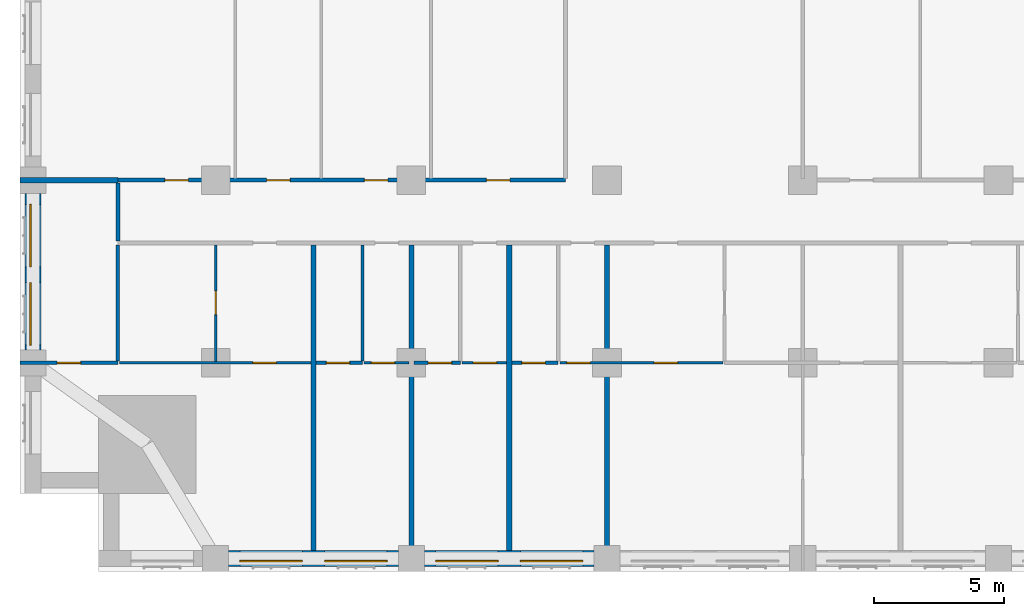
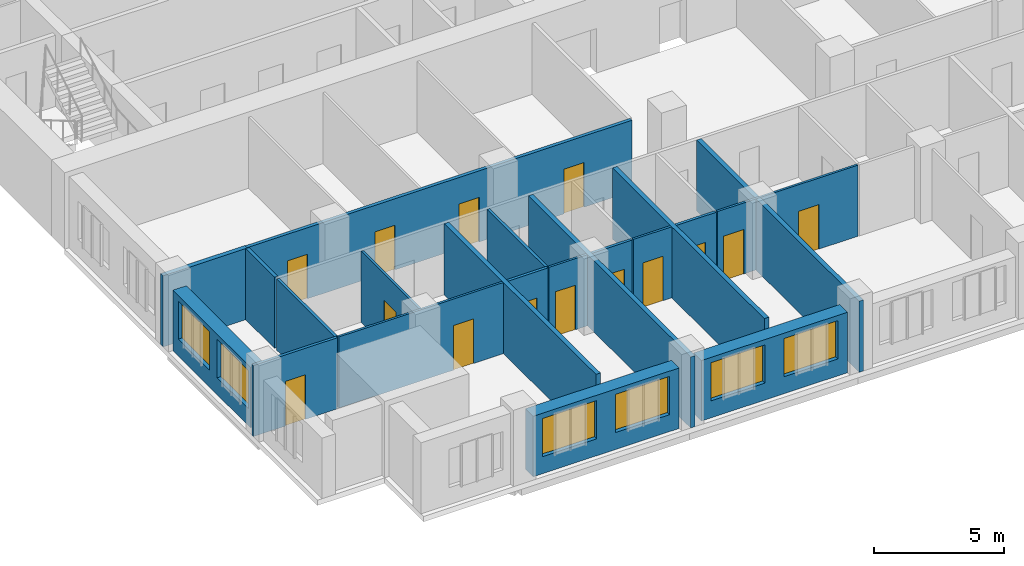
# One storey, part 4 of 15: 21 walls, 14 doors, 6 windows, 20 openings.
"""IFC4 building model written with IfcOpenShell, lengths in metres."""

import ifcopenshell
import ifcopenshell.guid

model = None  # the IFC model being written
_history = None  # IfcOwnerHistory: only IFC2X3 demands one
_inside = {}  # id of a spatial element -> (the spatial element, [elements in it])
_under = {}  # id of a project, library or spatial element -> (it, [spatial elements below it])
_declared = {}  # id of a project -> (the project, [libraries it declares])
_typed = {}  # id of a type object -> (the type object, [elements of that type])
_made_of = {}  # id of a material, layer set ... -> (it, [elements and type objects made of it])


def new_model(schema):
    """Start an empty IFC model of exactly this schema.

    Asked for "IFC4X3", IfcOpenShell would pick the latest addendum, in which some entities
    have other attributes; the version numbers below select the first issue.
    IFC2X3 requires an IfcOwnerHistory on every rooted entity: one is made here for all.
    """
    global model, _history
    if schema == "IFC4X3":
        model = ifcopenshell.file(schema_version=(4, 3, 0, 0))
    else:
        model = ifcopenshell.file(schema=schema)
    _inside.clear()
    _under.clear()
    _declared.clear()
    _typed.clear()
    _made_of.clear()
    _history = None
    if model.schema == "IFC2X3":
        org = make("IfcOrganization", Name="unknown")
        user = make(
            "IfcPersonAndOrganization",
            ThePerson=make("IfcPerson", FamilyName="unknown"),
            TheOrganization=org,
        )
        app = make(
            "IfcApplication",
            ApplicationDeveloper=org,
            Version="unknown",
            ApplicationFullName="unknown",
            ApplicationIdentifier="unknown",
        )
        _history = make(
            "IfcOwnerHistory",
            OwningUser=user,
            OwningApplication=app,
            ChangeAction="ADDED",
            CreationDate=0,
        )
    return model


def make(cls, **values):
    """One entity of the class cls with the attributes given. An attribute that is None is left unset."""
    return model.create_entity(
        cls, **{name: value for name, value in values.items() if value is not None}
    )


def rooted(cls, **values):
    """An entity with a GlobalId (a new one), such as an element, a storey or a relation."""
    return make(cls, GlobalId=ifcopenshell.guid.new(), OwnerHistory=_history, **values)


def si_unit(unit_type, name, prefix=None):
    """IfcSIUnit, for example si_unit("LENGTHUNIT", "METRE", prefix="MILLI")."""
    return make("IfcSIUnit", UnitType=unit_type, Prefix=prefix, Name=name)


def assignment(units):
    """IfcUnitAssignment: the units of a project."""
    return None if units is None else make("IfcUnitAssignment", Units=units)


def point(xyz):
    """IfcCartesianPoint."""
    return None if xyz is None else make("IfcCartesianPoint", Coordinates=xyz)


def direction(xyz):
    """IfcDirection."""
    return None if xyz is None else make("IfcDirection", DirectionRatios=xyz)


def frame(location, z_axis=None, x_axis=None):
    """IfcAxis2Placement3D, a coordinate frame: its origin and axes. An axis left out is left unset."""
    return make(
        "IfcAxis2Placement3D",
        Location=point(location),
        Axis=direction(z_axis),
        RefDirection=direction(x_axis),
    )


def frame_2d(location, x_axis=None):
    """IfcAxis2Placement2D, a coordinate frame in the plane: its origin and x axis."""
    return make(
        "IfcAxis2Placement2D", Location=point(location), RefDirection=direction(x_axis)
    )


def origin():
    """The frame at (0, 0, 0) with its axes left unset."""
    return frame((0.0, 0.0, 0.0))


def place(relative_to, where):
    """IfcLocalPlacement: puts the frame where relative to a parent placement (None: the world)."""
    return make(
        "IfcLocalPlacement", PlacementRelTo=relative_to, RelativePlacement=where
    )


def context(
    kind, dimensions, precision=None, world=None, true_north=None, identifier=None
):
    """IfcGeometricRepresentationContext, for example the 3D "Model" context."""
    return make(
        "IfcGeometricRepresentationContext",
        ContextIdentifier=identifier,
        ContextType=kind,
        CoordinateSpaceDimension=dimensions,
        Precision=precision,
        WorldCoordinateSystem=world,
        TrueNorth=true_north,
    )


def subcontext(parent, identifier, kind, view, scale=None):
    """IfcGeometricRepresentationSubContext, for example "Body" below "Model"."""
    return make(
        "IfcGeometricRepresentationSubContext",
        ContextIdentifier=identifier,
        ContextType=kind,
        ParentContext=parent,
        TargetScale=scale,
        TargetView=view,
    )


def project(units=None, contexts=None):
    """IfcProject with its units and contexts."""
    return rooted(
        "IfcProject",
        Name="project",
        RepresentationContexts=contexts,
        UnitsInContext=assignment(units),
    )


def spatial(cls, under=None, at=None, **own):
    """A site, building, storey or space (cls), placed at a placement, below another one or the project."""
    s = rooted(cls, ObjectPlacement=at, **own)
    if under is not None:
        _under.setdefault(under.id(), (under, []))[1].append(s)
    return s


def profile(cls, at=None, kind="AREA", **sizes):
    """A parametric profile (cls). Its sizes go by their IFC names, for example OverallWidth=200.0."""
    return make(cls, ProfileType=kind, Position=at, **sizes)


def rectangle(**sizes):
    """IfcRectangleProfileDef."""
    return profile("IfcRectangleProfileDef", **sizes)


def extrude(swept, where, along, depth):
    """IfcExtrudedAreaSolid: the profile swept, set in the frame where, extruded along a direction by depth."""
    return make(
        "IfcExtrudedAreaSolid",
        SweptArea=swept,
        Position=where,
        ExtrudedDirection=direction(along),
        Depth=depth,
    )


def shape(context_of_items, identifier, shape_type, items):
    """IfcShapeRepresentation: the items that make up one representation, for example the "Body"."""
    return make(
        "IfcShapeRepresentation",
        ContextOfItems=context_of_items,
        RepresentationIdentifier=identifier,
        RepresentationType=shape_type,
        Items=items,
    )


def material(Name=None, Category=None):
    """IfcMaterial."""
    return make("IfcMaterial", Name=Name, Category=Category)


def layer(
    of_material, thickness, ventilated=None, Name=None, Category=None, Priority=None
):
    """IfcMaterialLayer: one layer of a wall or slab, of a material (None: an air gap)."""
    return make(
        "IfcMaterialLayer",
        Material=of_material,
        LayerThickness=thickness,
        IsVentilated=ventilated,
        Name=Name,
        Category=Category,
        Priority=Priority,
    )


def layer_set(layers, Name=None):
    """IfcMaterialLayerSet."""
    return make("IfcMaterialLayerSet", MaterialLayers=layers, LayerSetName=Name)


def made_of(thing, what):
    """Note that an element or type object is made of a material, layer set ...; save() writes the relation."""
    if what is not None:
        _made_of.setdefault(what.id(), (what, []))[1].append(thing)
    return thing


def type_object(cls, material=None, **own):
    """A type object (cls), such as IfcWallType, which elements share."""
    return made_of(rooted(cls, **own), material)


def element(
    cls,
    number,
    at=None,
    inside=None,
    cuts=None,
    type_object=None,
    material=None,
    context=None,
    identifier="Body",
    shape_type=None,
    held_by="IfcProductDefinitionShape",
    body=None,
    shapes=None,
    **own,
):
    """One element of the class cls, such as IfcWall. Its Tag is "e" and its number.

    at: its placement. inside: the storey or other place that contains it. cuts: it is an
    opening in that element (IfcRelVoidsElement). A single representation is given by context,
    identifier, shape_type and body (its items); several are given by shapes. held_by: the class
    of the entity that holds the representations. save() writes the other relations.
    """
    e = rooted(cls, Tag="e%d" % number, ObjectPlacement=at, **own)
    if body is not None:
        shapes = [shape(context, identifier, shape_type, body)]
    if shapes is not None:
        e.Representation = make(held_by, Representations=shapes)
    if inside is not None:
        _inside.setdefault(inside.id(), (inside, []))[1].append(e)
    if cuts is not None:
        rooted(
            "IfcRelVoidsElement", RelatingBuildingElement=cuts, RelatedOpeningElement=e
        )
    if type_object is not None:
        _typed.setdefault(type_object.id(), (type_object, []))[1].append(e)
    return made_of(e, material)


def fill(opening, filler):
    """IfcRelFillsElement: the door or window that sits in an opening."""
    return rooted(
        "IfcRelFillsElement",
        RelatingOpeningElement=opening,
        RelatedBuildingElement=filler,
    )


def aggregate(whole, parts):
    """IfcRelAggregates: a whole, such as a stair, and the parts it consists of."""
    return rooted("IfcRelAggregates", RelatingObject=whole, RelatedObjects=parts)


def save(model, path):
    """Write the relations noted so far, then the file.

    IfcRelAggregates (storeys below a building ...), IfcRelContainedInSpatialStructure (elements
    in a storey), IfcRelDefinesByType, IfcRelAssociatesMaterial and IfcRelDeclares: one each for
    every whole, place, type object, material and project.
    """
    for whole, parts in _under.values():
        aggregate(whole, parts)
    for where, things in _inside.values():
        rooted(
            "IfcRelContainedInSpatialStructure",
            RelatedElements=things,
            RelatingStructure=where,
        )
    for kind, things in _typed.values():
        rooted("IfcRelDefinesByType", RelatedObjects=things, RelatingType=kind)
    for what, things in _made_of.values():
        rooted("IfcRelAssociatesMaterial", RelatedObjects=things, RelatingMaterial=what)
    for by, libraries in _declared.values():
        rooted("IfcRelDeclares", RelatingContext=by, RelatedDefinitions=libraries)
    model.write(path)


model = new_model("IFC4")

# Units and contexts
model_context = context("Model", 3, precision=1e-05, world=origin(), true_north=direction((0.0, 1.0)))
body_context = subcontext(model_context, "Body", "Model", "MODEL_VIEW")
ifc_project = project(units=[si_unit("LENGTHUNIT", "METRE"), si_unit("AREAUNIT", "SQUARE_METRE"), si_unit("VOLUMEUNIT", "CUBIC_METRE"), si_unit("PLANEANGLEUNIT", "RADIAN"), si_unit("MASSUNIT", "GRAM", prefix="KILO")], contexts=[model_context])

# Site, building, storey
site_placement = place(None, origin())
site = spatial("IfcSite", under=ifc_project, at=site_placement, CompositionType="ELEMENT")
building_placement = place(site_placement, origin())
building = spatial("IfcBuilding", under=site, at=building_placement, Name="Tamorin Gate", CompositionType="ELEMENT")
storey_placement = place(building_placement, frame((0.0, 0.0, 97.10009765625)))
storey = spatial("IfcBuildingStorey", under=building, at=storey_placement, Name="L23", CompositionType="ELEMENT", Elevation=97.10009765625)

# Wall, openings, windows
ifc_material_1 = material(Name="Precast concrete C40/50", Category="concrete")
ifc_layer_1 = layer(ifc_material_1, 0.60009765625)
ifc_layer_set_1 = layer_set([ifc_layer_1], Name="Precast concrete C40/50")
wall_type_1 = type_object("IfcWallType", Name="Board-marked concrete facade panel 600", PredefinedType="SOLIDWALL", material=ifc_layer_set_1)
wall_1_placement = place(storey_placement, frame((38.0, 38.0, 0.0), z_axis=(0.0, 0.0, 1.0), x_axis=(1.0, 0.0, 0.0)))
wall_1 = element("IfcWall", 1, at=wall_1_placement, inside=storey, type_object=wall_type_1, Name="Facade panel", PredefinedType="SOLIDWALL", context=body_context, shape_type="SweptSolid", body=[
    extrude(rectangle(XDim=6.5, YDim=0.60009765625, at=frame_2d((3.25, 0.0))), origin(), (0.0, 0.0, 1.0), 2.849853515625),
])
opening_1_placement = place(wall_1_placement, frame((0.425048828125, 0.0, 0.800048828125)))
opening_1 = element("IfcOpeningElement", 2, at=opening_1_placement, cuts=wall_1, Name="Opening WN1", PredefinedType="OPENING", context=body_context, shape_type="SweptSolid", body=[
    extrude(rectangle(XDim=2.39990234375, YDim=1.800048828125, at=frame_2d((1.199951171875, 0.89990234375))), frame((0.0, 0.31005859375, 0.0), z_axis=(0.0, -1.0, 0.0), x_axis=(1.0, 0.0, 0.0)), (0.0, 0.0, 1.0), 0.6201171875),
])
opening_2_placement = place(wall_1_placement, frame((3.675048828125, 0.0, 0.800048828125)))
opening_2 = element("IfcOpeningElement", 3, at=opening_2_placement, cuts=wall_1, Name="Opening WN1", PredefinedType="OPENING", context=body_context, shape_type="SweptSolid", body=[
    extrude(rectangle(XDim=2.39990234375, YDim=1.800048828125, at=frame_2d((1.199951171875, 0.89990234375))), frame((0.0, 0.31005859375, 0.0), z_axis=(0.0, -1.0, 0.0), x_axis=(1.0, 0.0, 0.0)), (0.0, 0.0, 1.0), 0.6201171875),
])
ifc_material_2 = material(Name="Clear glass in aluminium frame", Category="aluminium")
window_type = type_object("IfcWindowType", Name="Deep-set window 2400x1800", PartitioningType="SINGLE_PANEL", PredefinedType="WINDOW", material=ifc_material_2)
window_1_placement = place(opening_1_placement, origin())
window_1 = element("IfcWindow", 4, at=window_1_placement, inside=storey, type_object=window_type, Name="Deep-set window", OverallHeight=1.800048828125, OverallWidth=2.39990234375, PartitioningType="SINGLE_PANEL", PredefinedType="WINDOW", context=body_context, shape_type="SweptSolid", body=[
    extrude(rectangle(XDim=2.39990234375, YDim=1.800048828125, at=frame_2d((1.199951171875, 0.89990234375))), frame((0.0, -0.070068359375, 0.0), z_axis=(0.0, -1.0, 0.0), x_axis=(1.0, 0.0, 0.0)), (0.0, 0.0, 1.0), 0.06005859375),
])
fill(opening_1, window_1)
window_2_placement = place(opening_2_placement, origin())
window_2 = element("IfcWindow", 5, at=window_2_placement, inside=storey, type_object=window_type, Name="Deep-set window", OverallHeight=1.800048828125, OverallWidth=2.39990234375, PartitioningType="SINGLE_PANEL", PredefinedType="WINDOW", context=body_context, shape_type="SweptSolid", body=[
    extrude(rectangle(XDim=2.39990234375, YDim=1.800048828125, at=frame_2d((1.199951171875, 0.89990234375))), frame((0.0, -0.070068359375, 0.0), z_axis=(0.0, -1.0, 0.0), x_axis=(1.0, 0.0, 0.0)), (0.0, 0.0, 1.0), 0.06005859375),
])
fill(opening_2, window_2)

wall_2_placement = place(storey_placement, frame((45.5, 38.0, 0.0), z_axis=(0.0, 0.0, 1.0), x_axis=(1.0, 0.0, 0.0)))
wall_2 = element("IfcWall", 6, at=wall_2_placement, inside=storey, type_object=wall_type_1, Name="Facade panel", PredefinedType="SOLIDWALL", context=body_context, shape_type="SweptSolid", body=[
    extrude(rectangle(XDim=6.5, YDim=0.60009765625, at=frame_2d((3.25, 0.0))), origin(), (0.0, 0.0, 1.0), 2.849853515625),
])
opening_3_placement = place(wall_2_placement, frame((0.425048828125, 0.0, 0.800048828125)))
opening_3 = element("IfcOpeningElement", 7, at=opening_3_placement, cuts=wall_2, Name="Opening WN1", PredefinedType="OPENING", context=body_context, shape_type="SweptSolid", body=[
    extrude(rectangle(XDim=2.39990234375, YDim=1.800048828125, at=frame_2d((1.199951171875, 0.89990234375))), frame((0.0, 0.31005859375, 0.0), z_axis=(0.0, -1.0, 0.0), x_axis=(1.0, 0.0, 0.0)), (0.0, 0.0, 1.0), 0.6201171875),
])
opening_4_placement = place(wall_2_placement, frame((3.675048828125, 0.0, 0.800048828125)))
opening_4 = element("IfcOpeningElement", 8, at=opening_4_placement, cuts=wall_2, Name="Opening WN1", PredefinedType="OPENING", context=body_context, shape_type="SweptSolid", body=[
    extrude(rectangle(XDim=2.39990234375, YDim=1.800048828125, at=frame_2d((1.199951171875, 0.89990234375))), frame((0.0, 0.31005859375, 0.0), z_axis=(0.0, -1.0, 0.0), x_axis=(1.0, 0.0, 0.0)), (0.0, 0.0, 1.0), 0.6201171875),
])
window_3_placement = place(opening_3_placement, origin())
window_3 = element("IfcWindow", 9, at=window_3_placement, inside=storey, type_object=window_type, Name="Deep-set window", OverallHeight=1.800048828125, OverallWidth=2.39990234375, PartitioningType="SINGLE_PANEL", PredefinedType="WINDOW", context=body_context, shape_type="SweptSolid", body=[
    extrude(rectangle(XDim=2.39990234375, YDim=1.800048828125, at=frame_2d((1.199951171875, 0.89990234375))), frame((0.0, -0.070068359375, 0.0), z_axis=(0.0, -1.0, 0.0), x_axis=(1.0, 0.0, 0.0)), (0.0, 0.0, 1.0), 0.06005859375),
])
fill(opening_3, window_3)
window_4_placement = place(opening_4_placement, origin())
window_4 = element("IfcWindow", 10, at=window_4_placement, inside=storey, type_object=window_type, Name="Deep-set window", OverallHeight=1.800048828125, OverallWidth=2.39990234375, PartitioningType="SINGLE_PANEL", PredefinedType="WINDOW", context=body_context, shape_type="SweptSolid", body=[
    extrude(rectangle(XDim=2.39990234375, YDim=1.800048828125, at=frame_2d((1.199951171875, 0.89990234375))), frame((0.0, -0.070068359375, 0.0), z_axis=(0.0, -1.0, 0.0), x_axis=(1.0, 0.0, 0.0)), (0.0, 0.0, 1.0), 0.06005859375),
])
fill(opening_4, window_4)

wall_3_placement = place(storey_placement, frame((30.5, 52.0, 0.0), z_axis=(0.0, 0.0, 1.0), x_axis=(0.0, -1.0, 0.0)))
wall_3 = element("IfcWall", 11, at=wall_3_placement, inside=storey, type_object=wall_type_1, Name="Facade panel", PredefinedType="SOLIDWALL", context=body_context, shape_type="SweptSolid", body=[
    extrude(rectangle(XDim=6.0, YDim=0.60009765625, at=frame_2d((3.0, 0.0))), origin(), (0.0, 0.0, 1.0), 2.849853515625),
])
opening_5_placement = place(wall_3_placement, frame((3.425048828125, 0.0, 0.800048828125)))
opening_5 = element("IfcOpeningElement", 12, at=opening_5_placement, cuts=wall_3, Name="Opening WN1", PredefinedType="OPENING", context=body_context, shape_type="SweptSolid", body=[
    extrude(rectangle(XDim=2.39990234375, YDim=1.800048828125, at=frame_2d((1.199951171875, 0.89990234375))), frame((0.0, 0.31005859375, 0.0), z_axis=(0.0, -1.0, 0.0), x_axis=(1.0, 0.0, 0.0)), (0.0, 0.0, 1.0), 0.6201171875),
])
opening_6_placement = place(wall_3_placement, frame((0.425048828125, 0.0, 0.800048828125)))
opening_6 = element("IfcOpeningElement", 13, at=opening_6_placement, cuts=wall_3, Name="Opening WN1", PredefinedType="OPENING", context=body_context, shape_type="SweptSolid", body=[
    extrude(rectangle(XDim=2.39990234375, YDim=1.800048828125, at=frame_2d((1.199951171875, 0.89990234375))), frame((0.0, 0.31005859375, 0.0), z_axis=(0.0, -1.0, 0.0), x_axis=(1.0, 0.0, 0.0)), (0.0, 0.0, 1.0), 0.6201171875),
])
window_5_placement = place(opening_5_placement, origin())
window_5 = element("IfcWindow", 14, at=window_5_placement, inside=storey, type_object=window_type, Name="Deep-set window", OverallHeight=1.800048828125, OverallWidth=2.39990234375, PartitioningType="SINGLE_PANEL", PredefinedType="WINDOW", context=body_context, shape_type="SweptSolid", body=[
    extrude(rectangle(XDim=2.39990234375, YDim=1.800048828125, at=frame_2d((1.199951171875, 0.89990234375))), frame((0.0, -0.070068359375, 0.0), z_axis=(0.0, -1.0, 0.0), x_axis=(1.0, 0.0, 0.0)), (0.0, 0.0, 1.0), 0.06005859375),
])
fill(opening_5, window_5)
window_6_placement = place(opening_6_placement, origin())
window_6 = element("IfcWindow", 15, at=window_6_placement, inside=storey, type_object=window_type, Name="Deep-set window", OverallHeight=1.800048828125, OverallWidth=2.39990234375, PartitioningType="SINGLE_PANEL", PredefinedType="WINDOW", context=body_context, shape_type="SweptSolid", body=[
    extrude(rectangle(XDim=2.39990234375, YDim=1.800048828125, at=frame_2d((1.199951171875, 0.89990234375))), frame((0.0, -0.070068359375, 0.0), z_axis=(0.0, -1.0, 0.0), x_axis=(1.0, 0.0, 0.0)), (0.0, 0.0, 1.0), 0.06005859375),
])
fill(opening_6, window_6)

# Wall, openings, doors
ifc_material_3 = material(Name="Gypsum board partition")
ifc_layer_2 = layer(ifc_material_3, 0.14990234375)
ifc_layer_set_2 = layer_set([ifc_layer_2], Name="Corridor wall 150")
wall_type_2 = type_object("IfcWallType", Name="Corridor wall 150", PredefinedType="PARTITIONING", material=ifc_layer_set_2)
wall_4_placement = place(storey_placement, frame((33.75, 52.5, 0.0), z_axis=(0.0, 0.0, 1.0), x_axis=(1.0, 0.0, 0.0)))
wall_4 = element("IfcWall", 16, at=wall_4_placement, inside=storey, type_object=wall_type_2, Name="Corridor wall 150", PredefinedType="PARTITIONING", context=body_context, shape_type="SweptSolid", body=[
    extrude(rectangle(XDim=17.14990234375, YDim=0.14990234375, at=frame_2d((8.574951171875, 0.0))), origin(), (0.0, 0.0, 1.0), 3.349853515625),
])
opening_7_placement = place(wall_4_placement, frame((1.800048828125, 0.0, 0.0)))
opening_7 = element("IfcOpeningElement", 17, at=opening_7_placement, cuts=wall_4, Name="Opening DH6086", PredefinedType="OPENING", context=body_context, shape_type="SweptSolid", body=[
    extrude(rectangle(XDim=0.89990234375, YDim=2.10009765625, at=frame_2d((0.449951171875, 1.050048828125))), frame((0.0, 0.0849609375, 0.0), z_axis=(0.0, -1.0, 0.0), x_axis=(1.0, 0.0, 0.0)), (0.0, 0.0, 1.0), 0.169921875),
])
opening_8_placement = place(wall_4_placement, frame((5.699951171875, 0.0, 0.0)))
opening_8 = element("IfcOpeningElement", 18, at=opening_8_placement, cuts=wall_4, Name="Opening DH6087", PredefinedType="OPENING", context=body_context, shape_type="SweptSolid", body=[
    extrude(rectangle(XDim=0.89990234375, YDim=2.10009765625, at=frame_2d((0.449951171875, 1.050048828125))), frame((0.0, 0.0849609375, 0.0), z_axis=(0.0, -1.0, 0.0), x_axis=(1.0, 0.0, 0.0)), (0.0, 0.0, 1.0), 0.169921875),
])
opening_9_placement = place(wall_4_placement, frame((9.449951171875, 0.0, 0.0)))
opening_9 = element("IfcOpeningElement", 19, at=opening_9_placement, cuts=wall_4, Name="Opening DH6088", PredefinedType="OPENING", context=body_context, shape_type="SweptSolid", body=[
    extrude(rectangle(XDim=0.89990234375, YDim=2.10009765625, at=frame_2d((0.449951171875, 1.050048828125))), frame((0.0, 0.0849609375, 0.0), z_axis=(0.0, -1.0, 0.0), x_axis=(1.0, 0.0, 0.0)), (0.0, 0.0, 1.0), 0.169921875),
])
opening_10_placement = place(wall_4_placement, frame((14.125, 0.0, 0.0)))
opening_10 = element("IfcOpeningElement", 20, at=opening_10_placement, cuts=wall_4, Name="Opening DH6089", PredefinedType="OPENING", context=body_context, shape_type="SweptSolid", body=[
    extrude(rectangle(XDim=0.89990234375, YDim=2.10009765625, at=frame_2d((0.449951171875, 1.050048828125))), frame((0.0, 0.0849609375, 0.0), z_axis=(0.0, -1.0, 0.0), x_axis=(1.0, 0.0, 0.0)), (0.0, 0.0, 1.0), 0.169921875),
])
ifc_material_4 = material(Name="Timber door leaf", Category="wood")
door_type_1 = type_object("IfcDoorType", Name="Door 900 x 2100 FD30S", OperationType="NOTDEFINED", PredefinedType="DOOR", material=ifc_material_4)
door_1_placement = place(opening_7_placement, origin())
door_1 = element("IfcDoor", 21, at=door_1_placement, inside=storey, type_object=door_type_1, Name="Door DH6086", OperationType="SINGLE_SWING_LEFT", OverallHeight=2.10009765625, OverallWidth=0.89990234375, PredefinedType="DOOR", context=body_context, shape_type="SweptSolid", body=[
    extrude(rectangle(XDim=0.89990234375, YDim=2.10009765625, at=frame_2d((0.449951171875, 1.050048828125))), frame((0.0, 0.02490234375, 0.0), z_axis=(0.0, -1.0, 0.0), x_axis=(1.0, 0.0, 0.0)), (0.0, 0.0, 1.0), 0.050048828125),
])
fill(opening_7, door_1)
door_2_placement = place(opening_8_placement, origin())
door_2 = element("IfcDoor", 22, at=door_2_placement, inside=storey, type_object=door_type_1, Name="Door DH6087", OperationType="SINGLE_SWING_LEFT", OverallHeight=2.10009765625, OverallWidth=0.89990234375, PredefinedType="DOOR", context=body_context, shape_type="SweptSolid", body=[
    extrude(rectangle(XDim=0.89990234375, YDim=2.10009765625, at=frame_2d((0.449951171875, 1.050048828125))), frame((0.0, 0.02490234375, 0.0), z_axis=(0.0, -1.0, 0.0), x_axis=(1.0, 0.0, 0.0)), (0.0, 0.0, 1.0), 0.050048828125),
])
fill(opening_8, door_2)
door_3_placement = place(opening_9_placement, origin())
door_3 = element("IfcDoor", 23, at=door_3_placement, inside=storey, type_object=door_type_1, Name="Door DH6088", OperationType="SINGLE_SWING_LEFT", OverallHeight=2.10009765625, OverallWidth=0.89990234375, PredefinedType="DOOR", context=body_context, shape_type="SweptSolid", body=[
    extrude(rectangle(XDim=0.89990234375, YDim=2.10009765625, at=frame_2d((0.449951171875, 1.050048828125))), frame((0.0, 0.02490234375, 0.0), z_axis=(0.0, -1.0, 0.0), x_axis=(1.0, 0.0, 0.0)), (0.0, 0.0, 1.0), 0.050048828125),
])
fill(opening_9, door_3)
door_4_placement = place(opening_10_placement, origin())
door_4 = element("IfcDoor", 24, at=door_4_placement, inside=storey, type_object=door_type_1, Name="Door DH6089", OperationType="SINGLE_SWING_LEFT", OverallHeight=2.10009765625, OverallWidth=0.89990234375, PredefinedType="DOOR", context=body_context, shape_type="SweptSolid", body=[
    extrude(rectangle(XDim=0.89990234375, YDim=2.10009765625, at=frame_2d((0.449951171875, 1.050048828125))), frame((0.0, 0.02490234375, 0.0), z_axis=(0.0, -1.0, 0.0), x_axis=(1.0, 0.0, 0.0)), (0.0, 0.0, 1.0), 0.050048828125),
])
fill(opening_10, door_4)

# Walls
wall_5_placement = place(storey_placement, frame((33.75, 50.175048828125, 0.0), z_axis=(0.0, 0.0, 1.0), x_axis=(0.0, 1.0, 0.0)))
element("IfcWall", 25, at=wall_5_placement, inside=storey, type_object=wall_type_2, Name="Corridor wall 150", PredefinedType="PARTITIONING", context=body_context, shape_type="SweptSolid", body=[
    extrude(rectangle(XDim=2.224853515625, YDim=0.14990234375, at=frame_2d((1.1123046875, 0.0))), origin(), (0.0, 0.0, 1.0), 3.349853515625),
])
ifc_layer_3 = layer(ifc_material_3, 0.199951171875)
ifc_layer_set_3 = layer_set([ifc_layer_3], Name="Demising wall 200")
wall_type_3 = type_object("IfcWallType", Name="Demising wall 200", PredefinedType="PARTITIONING", material=ifc_layer_set_3)
wall_6_placement = place(storey_placement, frame((30.0, 52.5, 0.0), z_axis=(0.0, 0.0, 1.0), x_axis=(1.0, 0.0, 0.0)))
element("IfcWall", 26, at=wall_6_placement, inside=storey, type_object=wall_type_3, Name="Demising wall 200", PredefinedType="PARTITIONING", context=body_context, shape_type="SweptSolid", body=[
    extrude(rectangle(XDim=3.75, YDim=0.199951171875, at=frame_2d((1.875, 0.0))), origin(), (0.0, 0.0, 1.0), 3.349853515625),
])
wall_7_placement = place(storey_placement, frame((41.25, 38.31005859375, 0.0), z_axis=(0.0, 0.0, 1.0), x_axis=(0.0, 1.0, 0.0)))
element("IfcWall", 27, at=wall_7_placement, inside=storey, type_object=wall_type_3, Name="Demising wall 200", PredefinedType="PARTITIONING", context=body_context, shape_type="SweptSolid", body=[
    extrude(rectangle(XDim=11.71484375, YDim=0.199951171875, at=frame_2d((5.857421875, 0.0))), origin(), (0.0, 0.0, 1.0), 3.349853515625),
])
wall_8_placement = place(storey_placement, frame((45.0, 37.5, 0.0), z_axis=(0.0, 0.0, 1.0), x_axis=(0.0, 1.0, 0.0)))
element("IfcWall", 28, at=wall_8_placement, inside=storey, type_object=wall_type_3, Name="Demising wall 200", PredefinedType="PARTITIONING", context=body_context, shape_type="SweptSolid", body=[
    extrude(rectangle(XDim=12.52490234375, YDim=0.199951171875, at=frame_2d((6.262451171875, 0.0))), origin(), (0.0, 0.0, 1.0), 3.349853515625),
])
wall_9_placement = place(storey_placement, frame((48.75, 38.31005859375, 0.0), z_axis=(0.0, 0.0, 1.0), x_axis=(0.0, 1.0, 0.0)))
element("IfcWall", 29, at=wall_9_placement, inside=storey, type_object=wall_type_3, Name="Demising wall 200", PredefinedType="PARTITIONING", context=body_context, shape_type="SweptSolid", body=[
    extrude(rectangle(XDim=11.71484375, YDim=0.199951171875, at=frame_2d((5.857421875, 0.0))), origin(), (0.0, 0.0, 1.0), 3.349853515625),
])
wall_10_placement = place(storey_placement, frame((52.5, 37.5, 0.0), z_axis=(0.0, 0.0, 1.0), x_axis=(0.0, 1.0, 0.0)))
element("IfcWall", 30, at=wall_10_placement, inside=storey, type_object=wall_type_3, Name="Demising wall 200", PredefinedType="PARTITIONING", context=body_context, shape_type="SweptSolid", body=[
    extrude(rectangle(XDim=12.52490234375, YDim=0.199951171875, at=frame_2d((6.262451171875, 0.0))), origin(), (0.0, 0.0, 1.0), 3.349853515625),
])

# Wall, opening, door
ifc_layer_4 = layer(ifc_material_3, 0.10009765625)
ifc_layer_set_4 = layer_set([ifc_layer_4], Name="Room partition 100")
wall_type_4 = type_object("IfcWallType", Name="Room partition 100", PredefinedType="PARTITIONING", material=ifc_layer_set_4)
wall_11_placement = place(storey_placement, frame((33.8125, 45.5, 0.0), z_axis=(0.0, 0.0, 1.0), x_axis=(1.0, 0.0, 0.0)))
wall_11 = element("IfcWall", 31, at=wall_11_placement, inside=storey, type_object=wall_type_4, Name="Room partition 100", PredefinedType="PARTITIONING", context=body_context, shape_type="SweptSolid", body=[
    extrude(rectangle(XDim=7.33740234375, YDim=0.10009765625, at=frame_2d((3.668701171875, 0.0))), origin(), (0.0, 0.0, 1.0), 3.349853515625),
])
opening_11_placement = place(wall_11_placement, frame((5.112548828125, 0.0, 0.0)))
opening_11 = element("IfcOpeningElement", 32, at=opening_11_placement, cuts=wall_11, Name="Opening DH6004", PredefinedType="OPENING", context=body_context, shape_type="SweptSolid", body=[
    extrude(rectangle(XDim=0.89990234375, YDim=2.10009765625, at=frame_2d((0.449951171875, 1.050048828125))), frame((0.0, 0.06005859375, 0.0), z_axis=(0.0, -1.0, 0.0), x_axis=(1.0, 0.0, 0.0)), (0.0, 0.0, 1.0), 0.1201171875),
])
door_type_2 = type_object("IfcDoorType", Name="Door 900 x 2100", OperationType="NOTDEFINED", PredefinedType="DOOR", material=ifc_material_4)
door_5_placement = place(opening_11_placement, origin())
door_5 = element("IfcDoor", 33, at=door_5_placement, inside=storey, type_object=door_type_2, Name="Door DH6004", OperationType="SINGLE_SWING_LEFT", OverallHeight=2.10009765625, OverallWidth=0.89990234375, PredefinedType="DOOR", context=body_context, shape_type="SweptSolid", body=[
    extrude(rectangle(XDim=0.89990234375, YDim=2.10009765625, at=frame_2d((0.449951171875, 1.050048828125))), frame((0.0, 0.02490234375, 0.0), z_axis=(0.0, -1.0, 0.0), x_axis=(1.0, 0.0, 0.0)), (0.0, 0.0, 1.0), 0.050048828125),
])
fill(opening_11, door_5)

wall_12_placement = place(storey_placement, frame((43.1875, 45.5, 0.0), z_axis=(0.0, 0.0, 1.0), x_axis=(1.0, 0.0, 0.0)))
wall_12 = element("IfcWall", 34, at=wall_12_placement, inside=storey, type_object=wall_type_4, Name="Room partition 100", PredefinedType="PARTITIONING", context=body_context, shape_type="SweptSolid", body=[
    extrude(rectangle(XDim=1.71240234375, YDim=0.10009765625, at=frame_2d((0.856201171875, 0.0))), origin(), (0.0, 0.0, 1.0), 3.349853515625),
])
opening_12_placement = place(wall_12_placement, frame((0.27490234375, 0.0, 0.0)))
opening_12 = element("IfcOpeningElement", 35, at=opening_12_placement, cuts=wall_12, Name="Opening DH6007", PredefinedType="OPENING", context=body_context, shape_type="SweptSolid", body=[
    extrude(rectangle(XDim=0.89990234375, YDim=2.10009765625, at=frame_2d((0.449951171875, 1.050048828125))), frame((0.0, 0.06005859375, 0.0), z_axis=(0.0, -1.0, 0.0), x_axis=(1.0, 0.0, 0.0)), (0.0, 0.0, 1.0), 0.1201171875),
])
door_6_placement = place(opening_12_placement, origin())
door_6 = element("IfcDoor", 36, at=door_6_placement, inside=storey, type_object=door_type_2, Name="Door DH6007", OperationType="SINGLE_SWING_LEFT", OverallHeight=2.10009765625, OverallWidth=0.89990234375, PredefinedType="DOOR", context=body_context, shape_type="SweptSolid", body=[
    extrude(rectangle(XDim=0.89990234375, YDim=2.10009765625, at=frame_2d((0.449951171875, 1.050048828125))), frame((0.0, 0.02490234375, 0.0), z_axis=(0.0, -1.0, 0.0), x_axis=(1.0, 0.0, 0.0)), (0.0, 0.0, 1.0), 0.050048828125),
])
fill(opening_12, door_6)

wall_13_placement = place(storey_placement, frame((46.9375, 45.5, 0.0), z_axis=(0.0, 0.0, 1.0), x_axis=(1.0, 0.0, 0.0)))
wall_13 = element("IfcWall", 37, at=wall_13_placement, inside=storey, type_object=wall_type_4, Name="Room partition 100", PredefinedType="PARTITIONING", context=body_context, shape_type="SweptSolid", body=[
    extrude(rectangle(XDim=1.71240234375, YDim=0.10009765625, at=frame_2d((0.856201171875, 0.0))), origin(), (0.0, 0.0, 1.0), 3.349853515625),
])
opening_13_placement = place(wall_13_placement, frame((0.425048828125, 0.0, 0.0)))
opening_13 = element("IfcOpeningElement", 38, at=opening_13_placement, cuts=wall_13, Name="Opening DH6010", PredefinedType="OPENING", context=body_context, shape_type="SweptSolid", body=[
    extrude(rectangle(XDim=0.89990234375, YDim=2.10009765625, at=frame_2d((0.449951171875, 1.050048828125))), frame((0.0, 0.06005859375, 0.0), z_axis=(0.0, -1.0, 0.0), x_axis=(1.0, 0.0, 0.0)), (0.0, 0.0, 1.0), 0.1201171875),
])
door_7_placement = place(opening_13_placement, origin())
door_7 = element("IfcDoor", 39, at=door_7_placement, inside=storey, type_object=door_type_2, Name="Door DH6010", OperationType="SINGLE_SWING_LEFT", OverallHeight=2.10009765625, OverallWidth=0.89990234375, PredefinedType="DOOR", context=body_context, shape_type="SweptSolid", body=[
    extrude(rectangle(XDim=0.89990234375, YDim=2.10009765625, at=frame_2d((0.449951171875, 1.050048828125))), frame((0.0, 0.02490234375, 0.0), z_axis=(0.0, -1.0, 0.0), x_axis=(1.0, 0.0, 0.0)), (0.0, 0.0, 1.0), 0.050048828125),
])
fill(opening_13, door_7)

# Wall, openings, doors
wall_14_placement = place(storey_placement, frame((50.6875, 45.5, 0.0), z_axis=(0.0, 0.0, 1.0), x_axis=(1.0, 0.0, 0.0)))
wall_14 = element("IfcWall", 40, at=wall_14_placement, inside=storey, type_object=wall_type_4, Name="Room partition 100", PredefinedType="PARTITIONING", context=body_context, shape_type="SweptSolid", body=[
    extrude(rectangle(XDim=6.25, YDim=0.10009765625, at=frame_2d((3.125, 0.0))), origin(), (0.0, 0.0, 1.0), 3.349853515625),
])
opening_14_placement = place(wall_14_placement, frame((0.27490234375, 0.0, 0.0)))
opening_14 = element("IfcOpeningElement", 41, at=opening_14_placement, cuts=wall_14, Name="Opening DH6013", PredefinedType="OPENING", context=body_context, shape_type="SweptSolid", body=[
    extrude(rectangle(XDim=0.89990234375, YDim=2.10009765625, at=frame_2d((0.449951171875, 1.050048828125))), frame((0.0, 0.06005859375, 0.0), z_axis=(0.0, -1.0, 0.0), x_axis=(1.0, 0.0, 0.0)), (0.0, 0.0, 1.0), 0.1201171875),
])
opening_15_placement = place(wall_14_placement, frame((3.612548828125, 0.0, 0.0)))
opening_15 = element("IfcOpeningElement", 42, at=opening_15_placement, cuts=wall_14, Name="Opening DH6015", PredefinedType="OPENING", context=body_context, shape_type="SweptSolid", body=[
    extrude(rectangle(XDim=0.89990234375, YDim=2.10009765625, at=frame_2d((0.449951171875, 1.050048828125))), frame((0.0, 0.06005859375, 0.0), z_axis=(0.0, -1.0, 0.0), x_axis=(1.0, 0.0, 0.0)), (0.0, 0.0, 1.0), 0.1201171875),
])
door_8_placement = place(opening_14_placement, origin())
door_8 = element("IfcDoor", 43, at=door_8_placement, inside=storey, type_object=door_type_2, Name="Door DH6013", OperationType="SINGLE_SWING_LEFT", OverallHeight=2.10009765625, OverallWidth=0.89990234375, PredefinedType="DOOR", context=body_context, shape_type="SweptSolid", body=[
    extrude(rectangle(XDim=0.89990234375, YDim=2.10009765625, at=frame_2d((0.449951171875, 1.050048828125))), frame((0.0, 0.02490234375, 0.0), z_axis=(0.0, -1.0, 0.0), x_axis=(1.0, 0.0, 0.0)), (0.0, 0.0, 1.0), 0.050048828125),
])
fill(opening_14, door_8)
door_9_placement = place(opening_15_placement, origin())
door_9 = element("IfcDoor", 44, at=door_9_placement, inside=storey, type_object=door_type_2, Name="Door DH6015", OperationType="SINGLE_SWING_LEFT", OverallHeight=2.10009765625, OverallWidth=0.89990234375, PredefinedType="DOOR", context=body_context, shape_type="SweptSolid", body=[
    extrude(rectangle(XDim=0.89990234375, YDim=2.10009765625, at=frame_2d((0.449951171875, 1.050048828125))), frame((0.0, 0.02490234375, 0.0), z_axis=(0.0, -1.0, 0.0), x_axis=(1.0, 0.0, 0.0)), (0.0, 0.0, 1.0), 0.050048828125),
])
fill(opening_15, door_9)

# Wall, opening, door
wall_15_placement = place(storey_placement, frame((37.5, 45.550048828125, 0.0), z_axis=(0.0, 0.0, 1.0), x_axis=(0.0, 1.0, 0.0)))
wall_15 = element("IfcWall", 45, at=wall_15_placement, inside=storey, type_object=wall_type_4, Name="Room partition 100", PredefinedType="PARTITIONING", context=body_context, shape_type="SweptSolid", body=[
    extrude(rectangle(XDim=4.474853515625, YDim=0.10009765625, at=frame_2d((2.2373046875, 0.0))), origin(), (0.0, 0.0, 1.0), 3.349853515625),
])
opening_16_placement = place(wall_15_placement, frame((1.800048828125, 0.0, 0.0)))
opening_16 = element("IfcOpeningElement", 46, at=opening_16_placement, cuts=wall_15, Name="Opening DH6002", PredefinedType="OPENING", context=body_context, shape_type="SweptSolid", body=[
    extrude(rectangle(XDim=0.89990234375, YDim=2.10009765625, at=frame_2d((0.449951171875, 1.050048828125))), frame((0.0, 0.06005859375, 0.0), z_axis=(0.0, -1.0, 0.0), x_axis=(1.0, 0.0, 0.0)), (0.0, 0.0, 1.0), 0.1201171875),
])
door_10_placement = place(opening_16_placement, origin())
door_10 = element("IfcDoor", 47, at=door_10_placement, inside=storey, type_object=door_type_2, Name="Door DH6002", OperationType="SINGLE_SWING_RIGHT", OverallHeight=2.10009765625, OverallWidth=0.89990234375, PredefinedType="DOOR", context=body_context, shape_type="SweptSolid", body=[
    extrude(rectangle(XDim=0.89990234375, YDim=2.10009765625, at=frame_2d((0.449951171875, 1.050048828125))), frame((0.0, 0.02490234375, 0.0), z_axis=(0.0, -1.0, 0.0), x_axis=(1.0, 0.0, 0.0)), (0.0, 0.0, 1.0), 0.050048828125),
])
fill(opening_16, door_10)

ifc_layer_5 = layer(ifc_material_3, 0.125)
ifc_layer_set_5 = layer_set([ifc_layer_5], Name="Wet wall 125")
wall_type_5 = type_object("IfcWallType", Name="Wet wall 125", PredefinedType="PARTITIONING", material=ifc_layer_set_5)
wall_16_placement = place(storey_placement, frame((30.0, 45.5, 0.0), z_axis=(0.0, 0.0, 1.0), x_axis=(1.0, 0.0, 0.0)))
wall_16 = element("IfcWall", 48, at=wall_16_placement, inside=storey, type_object=wall_type_5, Name="Wet wall 125", PredefinedType="PARTITIONING", context=body_context, shape_type="SweptSolid", body=[
    extrude(rectangle(XDim=3.75, YDim=0.125, at=frame_2d((1.875, 0.0))), origin(), (0.0, 0.0, 1.0), 3.349853515625),
])
opening_17_placement = place(wall_16_placement, frame((1.425048828125, 0.0, 0.0)))
opening_17 = element("IfcOpeningElement", 49, at=opening_17_placement, cuts=wall_16, Name="Opening DH6001", PredefinedType="OPENING", context=body_context, shape_type="SweptSolid", body=[
    extrude(rectangle(XDim=0.89990234375, YDim=2.10009765625, at=frame_2d((0.449951171875, 1.050048828125))), frame((0.0, 0.072509765625, 0.0), z_axis=(0.0, -1.0, 0.0), x_axis=(1.0, 0.0, 0.0)), (0.0, 0.0, 1.0), 0.14501953125),
])
door_11_placement = place(opening_17_placement, origin())
door_11 = element("IfcDoor", 50, at=door_11_placement, inside=storey, type_object=door_type_2, Name="Door DH6001", OperationType="SINGLE_SWING_LEFT", OverallHeight=2.10009765625, OverallWidth=0.89990234375, PredefinedType="DOOR", context=body_context, shape_type="SweptSolid", body=[
    extrude(rectangle(XDim=0.89990234375, YDim=2.10009765625, at=frame_2d((0.449951171875, 1.050048828125))), frame((0.0, 0.02490234375, 0.0), z_axis=(0.0, -1.0, 0.0), x_axis=(1.0, 0.0, 0.0)), (0.0, 0.0, 1.0), 0.050048828125),
])
fill(opening_17, door_11)

wall_17_placement = place(storey_placement, frame((41.35009765625, 45.5, 0.0), z_axis=(0.0, 0.0, 1.0), x_axis=(1.0, 0.0, 0.0)))
wall_17 = element("IfcWall", 51, at=wall_17_placement, inside=storey, type_object=wall_type_5, Name="Wet wall 125", PredefinedType="PARTITIONING", context=body_context, shape_type="SweptSolid", body=[
    extrude(rectangle(XDim=1.77490234375, YDim=0.125, at=frame_2d((0.887451171875, 0.0))), origin(), (0.0, 0.0, 1.0), 3.349853515625),
])
opening_18_placement = place(wall_17_placement, frame((0.387451171875, 0.0, 0.0)))
opening_18 = element("IfcOpeningElement", 52, at=opening_18_placement, cuts=wall_17, Name="Opening DH6005", PredefinedType="OPENING", context=body_context, shape_type="SweptSolid", body=[
    extrude(rectangle(XDim=0.89990234375, YDim=2.10009765625, at=frame_2d((0.449951171875, 1.050048828125))), frame((0.0, 0.072509765625, 0.0), z_axis=(0.0, -1.0, 0.0), x_axis=(1.0, 0.0, 0.0)), (0.0, 0.0, 1.0), 0.14501953125),
])
door_12_placement = place(opening_18_placement, origin())
door_12 = element("IfcDoor", 53, at=door_12_placement, inside=storey, type_object=door_type_2, Name="Door DH6005", OperationType="SINGLE_SWING_LEFT", OverallHeight=2.10009765625, OverallWidth=0.89990234375, PredefinedType="DOOR", context=body_context, shape_type="SweptSolid", body=[
    extrude(rectangle(XDim=0.89990234375, YDim=2.10009765625, at=frame_2d((0.449951171875, 1.050048828125))), frame((0.0, 0.02490234375, 0.0), z_axis=(0.0, -1.0, 0.0), x_axis=(1.0, 0.0, 0.0)), (0.0, 0.0, 1.0), 0.050048828125),
])
fill(opening_18, door_12)

wall_18_placement = place(storey_placement, frame((45.10009765625, 45.5, 0.0), z_axis=(0.0, 0.0, 1.0), x_axis=(1.0, 0.0, 0.0)))
wall_18 = element("IfcWall", 54, at=wall_18_placement, inside=storey, type_object=wall_type_5, Name="Wet wall 125", PredefinedType="PARTITIONING", context=body_context, shape_type="SweptSolid", body=[
    extrude(rectangle(XDim=1.77490234375, YDim=0.125, at=frame_2d((0.887451171875, 0.0))), origin(), (0.0, 0.0, 1.0), 3.349853515625),
])
opening_19_placement = place(wall_18_placement, frame((0.53759765625, 0.0, 0.0)))
opening_19 = element("IfcOpeningElement", 55, at=opening_19_placement, cuts=wall_18, Name="Opening DH6008", PredefinedType="OPENING", context=body_context, shape_type="SweptSolid", body=[
    extrude(rectangle(XDim=0.89990234375, YDim=2.10009765625, at=frame_2d((0.449951171875, 1.050048828125))), frame((0.0, 0.072509765625, 0.0), z_axis=(0.0, -1.0, 0.0), x_axis=(1.0, 0.0, 0.0)), (0.0, 0.0, 1.0), 0.14501953125),
])
door_13_placement = place(opening_19_placement, origin())
door_13 = element("IfcDoor", 56, at=door_13_placement, inside=storey, type_object=door_type_2, Name="Door DH6008", OperationType="SINGLE_SWING_RIGHT", OverallHeight=2.10009765625, OverallWidth=0.89990234375, PredefinedType="DOOR", context=body_context, shape_type="SweptSolid", body=[
    extrude(rectangle(XDim=0.89990234375, YDim=2.10009765625, at=frame_2d((0.449951171875, 1.050048828125))), frame((0.0, 0.02490234375, 0.0), z_axis=(0.0, -1.0, 0.0), x_axis=(1.0, 0.0, 0.0)), (0.0, 0.0, 1.0), 0.050048828125),
])
fill(opening_19, door_13)

wall_19_placement = place(storey_placement, frame((48.85009765625, 45.5, 0.0), z_axis=(0.0, 0.0, 1.0), x_axis=(1.0, 0.0, 0.0)))
wall_19 = element("IfcWall", 57, at=wall_19_placement, inside=storey, type_object=wall_type_5, Name="Wet wall 125", PredefinedType="PARTITIONING", context=body_context, shape_type="SweptSolid", body=[
    extrude(rectangle(XDim=1.77490234375, YDim=0.125, at=frame_2d((0.887451171875, 0.0))), origin(), (0.0, 0.0, 1.0), 3.349853515625),
])
opening_20_placement = place(wall_19_placement, frame((0.387451171875, 0.0, 0.0)))
opening_20 = element("IfcOpeningElement", 58, at=opening_20_placement, cuts=wall_19, Name="Opening DH6011", PredefinedType="OPENING", context=body_context, shape_type="SweptSolid", body=[
    extrude(rectangle(XDim=0.89990234375, YDim=2.10009765625, at=frame_2d((0.449951171875, 1.050048828125))), frame((0.0, 0.072509765625, 0.0), z_axis=(0.0, -1.0, 0.0), x_axis=(1.0, 0.0, 0.0)), (0.0, 0.0, 1.0), 0.14501953125),
])
door_14_placement = place(opening_20_placement, origin())
door_14 = element("IfcDoor", 59, at=door_14_placement, inside=storey, type_object=door_type_2, Name="Door DH6011", OperationType="SINGLE_SWING_LEFT", OverallHeight=2.10009765625, OverallWidth=0.89990234375, PredefinedType="DOOR", context=body_context, shape_type="SweptSolid", body=[
    extrude(rectangle(XDim=0.89990234375, YDim=2.10009765625, at=frame_2d((0.449951171875, 1.050048828125))), frame((0.0, 0.02490234375, 0.0), z_axis=(0.0, -1.0, 0.0), x_axis=(1.0, 0.0, 0.0)), (0.0, 0.0, 1.0), 0.050048828125),
])
fill(opening_20, door_14)

# Walls
for number, where, z_axis, x_axis, name in (
    (60, (33.75, 45.5625, 0.0), (0.0, 0.0, 1.0), (0.0, 1.0, 0.0), "Wet wall 125"),
    (61, (43.125, 45.5625, 0.0), (0.0, 0.0, 1.0), (0.0, 1.0, 0.0), "Wet wall 125"),
):
    element("IfcWall", number, at=place(storey_placement, frame(where, z_axis=z_axis, x_axis=x_axis)), inside=storey, type_object=wall_type_5, Name=name, PredefinedType="PARTITIONING", context=body_context, shape_type="SweptSolid", body=[
        extrude(rectangle(XDim=4.46240234375, YDim=0.125, at=frame_2d((2.231201171875, 0.0))), origin(), (0.0, 0.0, 1.0), 3.349853515625),
    ])

save(model, "model.ifc")
